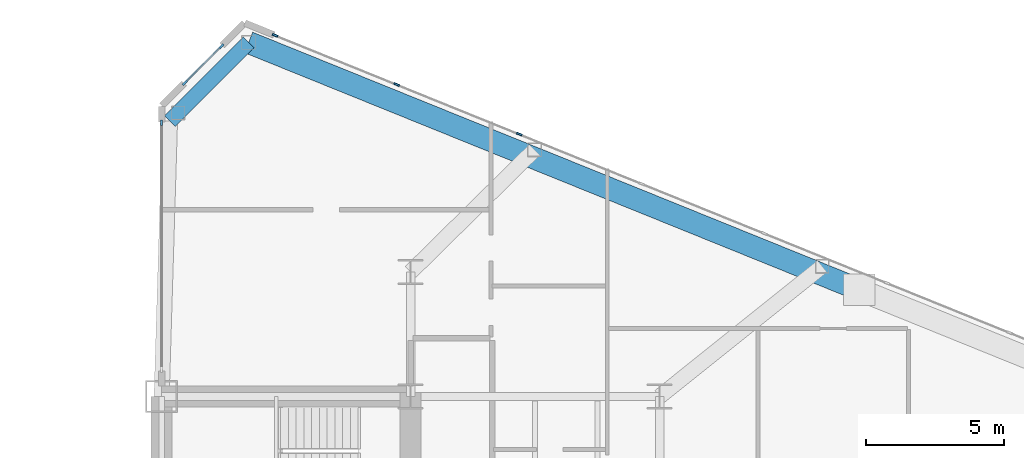
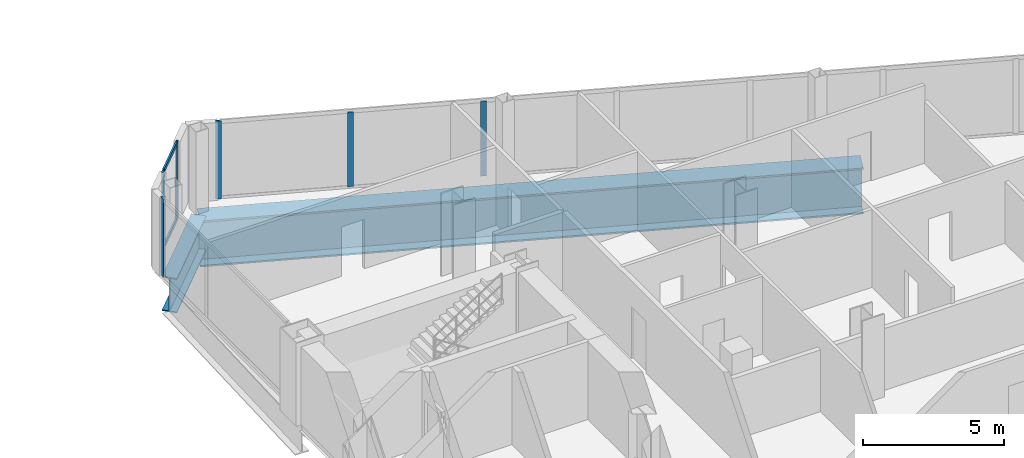
# One storey, part 14 of 26: 8 members, 2 beams, 3 elements without a shape of their own.
"""IFC4 building model written with IfcOpenShell, lengths in metres."""

import ifcopenshell
import ifcopenshell.guid

model = None  # the IFC model being written
_history = None  # IfcOwnerHistory: only IFC2X3 demands one
_inside = {}  # id of a spatial element -> (the spatial element, [elements in it])
_under = {}  # id of a project, library or spatial element -> (it, [spatial elements below it])
_declared = {}  # id of a project -> (the project, [libraries it declares])
_typed = {}  # id of a type object -> (the type object, [elements of that type])
_made_of = {}  # id of a material, layer set ... -> (it, [elements and type objects made of it])


def new_model(schema):
    """Start an empty IFC model of exactly this schema.

    Asked for "IFC4X3", IfcOpenShell would pick the latest addendum, in which some entities
    have other attributes; the version numbers below select the first issue.
    IFC2X3 requires an IfcOwnerHistory on every rooted entity: one is made here for all.
    """
    global model, _history
    if schema == "IFC4X3":
        model = ifcopenshell.file(schema_version=(4, 3, 0, 0))
    else:
        model = ifcopenshell.file(schema=schema)
    _inside.clear()
    _under.clear()
    _declared.clear()
    _typed.clear()
    _made_of.clear()
    _history = None
    if model.schema == "IFC2X3":
        org = make("IfcOrganization", Name="unknown")
        user = make(
            "IfcPersonAndOrganization",
            ThePerson=make("IfcPerson", FamilyName="unknown"),
            TheOrganization=org,
        )
        app = make(
            "IfcApplication",
            ApplicationDeveloper=org,
            Version="unknown",
            ApplicationFullName="unknown",
            ApplicationIdentifier="unknown",
        )
        _history = make(
            "IfcOwnerHistory",
            OwningUser=user,
            OwningApplication=app,
            ChangeAction="ADDED",
            CreationDate=0,
        )
    return model


def make(cls, **values):
    """One entity of the class cls with the attributes given. An attribute that is None is left unset."""
    return model.create_entity(
        cls, **{name: value for name, value in values.items() if value is not None}
    )


def rooted(cls, **values):
    """An entity with a GlobalId (a new one), such as an element, a storey or a relation."""
    return make(cls, GlobalId=ifcopenshell.guid.new(), OwnerHistory=_history, **values)


def si_unit(unit_type, name, prefix=None):
    """IfcSIUnit, for example si_unit("LENGTHUNIT", "METRE", prefix="MILLI")."""
    return make("IfcSIUnit", UnitType=unit_type, Prefix=prefix, Name=name)


def assignment(units):
    """IfcUnitAssignment: the units of a project."""
    return None if units is None else make("IfcUnitAssignment", Units=units)


def point(xyz):
    """IfcCartesianPoint."""
    return None if xyz is None else make("IfcCartesianPoint", Coordinates=xyz)


def direction(xyz):
    """IfcDirection."""
    return None if xyz is None else make("IfcDirection", DirectionRatios=xyz)


def frame(location, z_axis=None, x_axis=None):
    """IfcAxis2Placement3D, a coordinate frame: its origin and axes. An axis left out is left unset."""
    return make(
        "IfcAxis2Placement3D",
        Location=point(location),
        Axis=direction(z_axis),
        RefDirection=direction(x_axis),
    )


def frame_2d(location, x_axis=None):
    """IfcAxis2Placement2D, a coordinate frame in the plane: its origin and x axis."""
    return make(
        "IfcAxis2Placement2D", Location=point(location), RefDirection=direction(x_axis)
    )


def origin():
    """The frame at (0, 0, 0) with its axes left unset."""
    return frame((0.0, 0.0, 0.0))


def origin_2d():
    """The frame at (0, 0) in the plane with its x axis left unset."""
    return frame_2d((0.0, 0.0))


def place(relative_to, where):
    """IfcLocalPlacement: puts the frame where relative to a parent placement (None: the world)."""
    return make(
        "IfcLocalPlacement", PlacementRelTo=relative_to, RelativePlacement=where
    )


def context(
    kind, dimensions, precision=None, world=None, true_north=None, identifier=None
):
    """IfcGeometricRepresentationContext, for example the 3D "Model" context."""
    return make(
        "IfcGeometricRepresentationContext",
        ContextIdentifier=identifier,
        ContextType=kind,
        CoordinateSpaceDimension=dimensions,
        Precision=precision,
        WorldCoordinateSystem=world,
        TrueNorth=true_north,
    )


def subcontext(parent, identifier, kind, view, scale=None):
    """IfcGeometricRepresentationSubContext, for example "Body" below "Model"."""
    return make(
        "IfcGeometricRepresentationSubContext",
        ContextIdentifier=identifier,
        ContextType=kind,
        ParentContext=parent,
        TargetScale=scale,
        TargetView=view,
    )


def project(units=None, contexts=None):
    """IfcProject with its units and contexts."""
    return rooted(
        "IfcProject",
        Name="project",
        RepresentationContexts=contexts,
        UnitsInContext=assignment(units),
    )


def spatial(cls, under=None, at=None, **own):
    """A site, building, storey or space (cls), placed at a placement, below another one or the project."""
    s = rooted(cls, ObjectPlacement=at, **own)
    if under is not None:
        _under.setdefault(under.id(), (under, []))[1].append(s)
    return s


def profile(cls, at=None, kind="AREA", **sizes):
    """A parametric profile (cls). Its sizes go by their IFC names, for example OverallWidth=200.0."""
    return make(cls, ProfileType=kind, Position=at, **sizes)


def rectangle(**sizes):
    """IfcRectangleProfileDef."""
    return profile("IfcRectangleProfileDef", **sizes)


def i_section(**sizes):
    """IfcIShapeProfileDef."""
    return profile("IfcIShapeProfileDef", **sizes)


def extrude(swept, where, along, depth):
    """IfcExtrudedAreaSolid: the profile swept, set in the frame where, extruded along a direction by depth."""
    return make(
        "IfcExtrudedAreaSolid",
        SweptArea=swept,
        Position=where,
        ExtrudedDirection=direction(along),
        Depth=depth,
    )


def shape(context_of_items, identifier, shape_type, items):
    """IfcShapeRepresentation: the items that make up one representation, for example the "Body"."""
    return make(
        "IfcShapeRepresentation",
        ContextOfItems=context_of_items,
        RepresentationIdentifier=identifier,
        RepresentationType=shape_type,
        Items=items,
    )


def source(mapping_origin, context_of_items, identifier, shape_type, items):
    """IfcRepresentationMap: a shape defined once, which mapped items show again and again."""
    return make(
        "IfcRepresentationMap",
        MappingOrigin=mapping_origin,
        MappedRepresentation=shape(context_of_items, identifier, shape_type, items),
    )


def transform(
    local_origin,
    x_axis=None,
    y_axis=None,
    z_axis=None,
    scale=None,
    scale2=None,
    scale3=None,
    uniform=True,
):
    """IfcCartesianTransformationOperator3D, or its non-uniform kind. x_axis, y_axis, z_axis: its Axis1, 2, 3."""
    if uniform:
        return make(
            "IfcCartesianTransformationOperator3D",
            Axis1=direction(x_axis),
            Axis2=direction(y_axis),
            LocalOrigin=point(local_origin),
            Scale=scale,
            Axis3=direction(z_axis),
        )
    return make(
        "IfcCartesianTransformationOperator3DnonUniform",
        Axis1=direction(x_axis),
        Axis2=direction(y_axis),
        LocalOrigin=point(local_origin),
        Scale=scale,
        Axis3=direction(z_axis),
        Scale2=scale2,
        Scale3=scale3,
    )


def mapped(mapping_source, mapping_target):
    """IfcMappedItem: shows the shape of a source again, moved by a transform."""
    return make(
        "IfcMappedItem", MappingSource=mapping_source, MappingTarget=mapping_target
    )


def material(Name=None, Category=None):
    """IfcMaterial."""
    return make("IfcMaterial", Name=Name, Category=Category)


def layer(
    of_material, thickness, ventilated=None, Name=None, Category=None, Priority=None
):
    """IfcMaterialLayer: one layer of a wall or slab, of a material (None: an air gap)."""
    return make(
        "IfcMaterialLayer",
        Material=of_material,
        LayerThickness=thickness,
        IsVentilated=ventilated,
        Name=Name,
        Category=Category,
        Priority=Priority,
    )


def layer_set(layers, Name=None):
    """IfcMaterialLayerSet."""
    return make("IfcMaterialLayerSet", MaterialLayers=layers, LayerSetName=Name)


def material_profile(
    of_material, cross_section, Name=None, Category=None, Priority=None
):
    """IfcMaterialProfile: a cross section and its material."""
    return make(
        "IfcMaterialProfile",
        Name=Name,
        Material=of_material,
        Profile=cross_section,
        Priority=Priority,
        Category=Category,
    )


def profile_set(profiles, Name=None, composite=None):
    """IfcMaterialProfileSet."""
    return make(
        "IfcMaterialProfileSet",
        Name=Name,
        MaterialProfiles=profiles,
        CompositeProfile=composite,
    )


def made_of(thing, what):
    """Note that an element or type object is made of a material, layer set ...; save() writes the relation."""
    if what is not None:
        _made_of.setdefault(what.id(), (what, []))[1].append(thing)
    return thing


def type_object(cls, material=None, **own):
    """A type object (cls), such as IfcWallType, which elements share."""
    return made_of(rooted(cls, **own), material)


def type_shapes(of_type, sources):
    """Give a type object the sources (RepresentationMaps) that its elements show as mapped items."""
    of_type.RepresentationMaps = sources


def element(
    cls,
    number,
    at=None,
    inside=None,
    cuts=None,
    type_object=None,
    material=None,
    context=None,
    identifier="Body",
    shape_type=None,
    held_by="IfcProductDefinitionShape",
    body=None,
    shapes=None,
    **own,
):
    """One element of the class cls, such as IfcWall. Its Tag is "e" and its number.

    at: its placement. inside: the storey or other place that contains it. cuts: it is an
    opening in that element (IfcRelVoidsElement). A single representation is given by context,
    identifier, shape_type and body (its items); several are given by shapes. held_by: the class
    of the entity that holds the representations. save() writes the other relations.
    """
    e = rooted(cls, Tag="e%d" % number, ObjectPlacement=at, **own)
    if body is not None:
        shapes = [shape(context, identifier, shape_type, body)]
    if shapes is not None:
        e.Representation = make(held_by, Representations=shapes)
    if inside is not None:
        _inside.setdefault(inside.id(), (inside, []))[1].append(e)
    if cuts is not None:
        rooted(
            "IfcRelVoidsElement", RelatingBuildingElement=cuts, RelatedOpeningElement=e
        )
    if type_object is not None:
        _typed.setdefault(type_object.id(), (type_object, []))[1].append(e)
    return made_of(e, material)


def aggregate(whole, parts):
    """IfcRelAggregates: a whole, such as a stair, and the parts it consists of."""
    return rooted("IfcRelAggregates", RelatingObject=whole, RelatedObjects=parts)


def save(model, path):
    """Write the relations noted so far, then the file.

    IfcRelAggregates (storeys below a building ...), IfcRelContainedInSpatialStructure (elements
    in a storey), IfcRelDefinesByType, IfcRelAssociatesMaterial and IfcRelDeclares: one each for
    every whole, place, type object, material and project.
    """
    for whole, parts in _under.values():
        aggregate(whole, parts)
    for where, things in _inside.values():
        rooted(
            "IfcRelContainedInSpatialStructure",
            RelatedElements=things,
            RelatingStructure=where,
        )
    for kind, things in _typed.values():
        rooted("IfcRelDefinesByType", RelatedObjects=things, RelatingType=kind)
    for what, things in _made_of.values():
        rooted("IfcRelAssociatesMaterial", RelatedObjects=things, RelatingMaterial=what)
    for by, libraries in _declared.values():
        rooted("IfcRelDeclares", RelatingContext=by, RelatedDefinitions=libraries)
    model.write(path)


model = new_model("IFC4")

# Units and contexts
model_context = context("Model", 3, precision=1e-05, world=origin(), true_north=direction((0.0, 1.0)))
body_context = subcontext(model_context, "Body", "Model", "MODEL_VIEW")
ifc_project = project(units=[si_unit("LENGTHUNIT", "METRE"), si_unit("AREAUNIT", "SQUARE_METRE"), si_unit("VOLUMEUNIT", "CUBIC_METRE"), si_unit("PLANEANGLEUNIT", "RADIAN"), si_unit("MASSUNIT", "GRAM", prefix="KILO")], contexts=[model_context])

# Site, building, storey
site_placement = place(None, origin())
site = spatial("IfcSite", under=ifc_project, at=site_placement, CompositionType="ELEMENT")
building_placement = place(site_placement, origin())
building = spatial("IfcBuilding", under=site, at=building_placement, Name="Seokmaru Belvedere", CompositionType="ELEMENT")
storey_placement = place(building_placement, frame((0.0, 0.0, 18.89990234375)))
storey = spatial("IfcBuildingStorey", under=building, at=storey_placement, Name="L04", CompositionType="ELEMENT", Elevation=18.89990234375)

# Beams
ifc_material_1 = material(Name="Steel HSA650 (650 MPa)", Category="steel")
ifc_material_profile_1 = material_profile(ifc_material_1, i_section(OverallWidth=0.800048828125, OverallDepth=2.0, WebThickness=0.0400390625, FlangeThickness=0.070068359375, at=origin_2d()), Name="BH-2000x800x40x70")
ifc_profile_set_1 = profile_set([ifc_material_profile_1], Name="Steel HSA650 (650 MPa)")
beam_type_1 = type_object("IfcBeamType", Name="Sky-Gate Transfer Truss Chord Girder BH-2000", PredefinedType="BEAM", material=ifc_profile_set_1)
shared_shape_1 = source(origin(), body_context, "Body", "SweptSolid", [
    extrude(i_section(OverallWidth=0.800048828125, OverallDepth=2.0, WebThickness=0.0400390625, FlangeThickness=0.070068359375, at=origin_2d()), origin(), (0.0, 0.0, 1.0), 23.811767578125),
])
type_shapes(beam_type_1, [shared_shape_1])
beam_1_placement = place(storey_placement, frame((30.643310546875, 26.294677734375, -1.219970703125), z_axis=(0.92694579442, -0.375195274766, 0.0), x_axis=(0.375195274766, 0.92694579442, 0.0)))
element("IfcBeam", 1, at=beam_1_placement, inside=storey, type_object=beam_type_1, Name="L04 E Podium Flank Transfer Girder N-A", PredefinedType="BEAM", context=body_context, shape_type="MappedRepresentation", body=[
    mapped(shared_shape_1, transform((0.0, 0.0, 0.0), scale=1.0)),
])
ifc_material_profile_2 = material_profile(ifc_material_1, i_section(OverallWidth=0.550048828125, OverallDepth=1.5, WebThickness=0.028076171875, FlangeThickness=0.044921875, at=origin_2d()), Name="BH-1500x550x28x45")
ifc_profile_set_2 = profile_set([ifc_material_profile_2], Name="Steel HSA650 (650 MPa)")
beam_type_2 = type_object("IfcBeamType", Name="Setback Transfer Girder BH-1500", PredefinedType="BEAM", material=ifc_profile_set_2)
shared_shape_2 = source(origin(), body_context, "Body", "SweptSolid", [
    extrude(i_section(OverallWidth=0.550048828125, OverallDepth=1.5, WebThickness=0.028076171875, FlangeThickness=0.044921875, at=origin_2d()), origin(), (0.0, 0.0, 1.0), 4.02099609375),
])
type_shapes(beam_type_2, [shared_shape_2])
beam_2_placement = place(storey_placement, frame((30.643310546875, 26.294677734375, -0.969970703125), z_axis=(-0.707106781187, -0.707106781187, 0.0), x_axis=(0.707106781187, -0.707106781187, 0.0)))
element("IfcBeam", 2, at=beam_2_placement, inside=storey, type_object=beam_type_2, Name="L04 E Podium Shoulder Transfer Girder N", PredefinedType="BEAM", context=body_context, shape_type="MappedRepresentation", body=[
    mapped(shared_shape_2, transform((0.0, 0.0, 0.0), scale=1.0)),
])

# Curtain wall, member
ifc_material_2 = material(Name="Bronze Triple Insulating Glass", Category="glass")
ifc_layer = layer(ifc_material_2, 0.2099609375)
ifc_layer_set = layer_set([ifc_layer], Name="Bronze Triple Insulating Glass")
curtain_wall_type = type_object("IfcCurtainWallType", Name="Low-Rise Faceted Crystal Curtain Wall System CW-2", PredefinedType="NOTDEFINED", material=ifc_layer_set)
curtain_wall_1_placement = place(storey_placement, origin())
curtain_wall_1 = element("IfcCurtainWall", 3, at=curtain_wall_1_placement, inside=storey, type_object=curtain_wall_type, Name="L04 Curtain Wall EF3", PredefinedType="NOTDEFINED")
ifc_material_3 = material(Name="Anodised Bronze Aluminium", Category="aluminium")
ifc_material_profile_3 = material_profile(ifc_material_3, rectangle(XDim=0.074951171875, YDim=0.2099609375, at=origin_2d()), Name="CW-M-75x210")
ifc_profile_set_3 = profile_set([ifc_material_profile_3], Name="Anodised Bronze Aluminium")
member_type_1 = type_object("IfcMemberType", Name="Bronze Unitised Mullion 75x210", PredefinedType="MULLION", material=ifc_profile_set_3)
shared_shape_3 = source(origin(), body_context, "Body", "SweptSolid", [
    extrude(rectangle(XDim=0.074951171875, YDim=0.2099609375, at=origin_2d()), origin(), (0.0, 0.0, 1.0), 3.380126953125),
])
member_1_placement = place(storey_placement, frame((31.600830078125, 26.554443359375, 0.0), z_axis=(0.0, 0.0, 1.0), x_axis=(-0.375192321888, -0.926946989637, 0.0)))
member_1 = element("IfcMember", 4, at=member_1_placement, type_object=member_type_1, Name="CW:L04:EF3 Mullion 10", PredefinedType="MULLION", context=body_context, shape_type="MappedRepresentation", body=[
    mapped(shared_shape_3, transform((0.0, 0.0, 0.0), scale=1.0)),
])

# Curtain wall, members
curtain_wall_2_placement = place(storey_placement, origin())
curtain_wall_2 = element("IfcCurtainWall", 5, at=curtain_wall_2_placement, inside=storey, type_object=curtain_wall_type, Name="L04 Curtain Wall EF4", PredefinedType="NOTDEFINED")
member_2_placement = place(storey_placement, frame((29.660400390625, 26.160400390625, 0.0), z_axis=(0.0, 0.0, 1.0), x_axis=(0.707106781187, -0.707106781187, 0.0)))
member_2 = element("IfcMember", 6, at=member_2_placement, type_object=member_type_1, Name="CW:L04:EF4 Mullion 1", PredefinedType="MULLION", context=body_context, shape_type="MappedRepresentation", body=[
    mapped(shared_shape_3, transform((0.0, 0.0, 0.0), scale=1.0)),
])
member_3_placement = place(storey_placement, frame((28.339599609375, 24.839599609375, 0.0), z_axis=(0.0, 0.0, 1.0), x_axis=(0.707106781187, -0.707106781187, 0.0)))
member_3 = element("IfcMember", 7, at=member_3_placement, type_object=member_type_1, Name="CW:L04:EF4 Mullion 2", PredefinedType="MULLION", context=body_context, shape_type="MappedRepresentation", body=[
    mapped(shared_shape_3, transform((0.0, 0.0, 0.0), scale=1.0)),
])

# Curtain wall, member
curtain_wall_3_placement = place(storey_placement, origin())
curtain_wall_3 = element("IfcCurtainWall", 8, at=curtain_wall_3_placement, inside=storey, type_object=curtain_wall_type, Name="L04 Curtain Wall ESP_2", PredefinedType="NOTDEFINED")
member_4_placement = place(storey_placement, frame((27.5, 23.392578125, 0.0), z_axis=(0.0, 0.0, 1.0), x_axis=(1.0, 0.0, 0.0)))
member_4 = element("IfcMember", 9, at=member_4_placement, type_object=member_type_1, Name="CW:L04:ESP_2 Mullion 1", PredefinedType="MULLION", context=body_context, shape_type="MappedRepresentation", body=[
    mapped(shared_shape_3, transform((0.0, 0.0, 0.0), scale=1.0)),
])
aggregate(curtain_wall_3, [member_4])

# Member
ifc_material_profile_4 = material_profile(ifc_material_3, rectangle(XDim=0.070068359375, YDim=0.1650390625, at=origin_2d()), Name="CW-T-70x165")
ifc_profile_set_4 = profile_set([ifc_material_profile_4], Name="Anodised Bronze Aluminium")
member_type_2 = type_object("IfcMemberType", Name="Bronze Unitised Transom 70x165", PredefinedType="USERDEFINED", material=ifc_profile_set_4)
shared_shape_4 = source(origin(), body_context, "Body", "SweptSolid", [
    extrude(rectangle(XDim=0.070068359375, YDim=0.1650390625, at=origin_2d()), origin(), (0.0, 0.0, 1.0), 1.792724609375),
])
type_shapes(member_type_2, [shared_shape_4])
member_5_placement = place(storey_placement, frame((29.6337890625, 26.1337890625, 0.03515625), z_axis=(-0.707106781187, -0.707106781187, 0.0), x_axis=(0.707106781187, -0.707106781187, 0.0)))
member_5 = element("IfcMember", 10, at=member_5_placement, type_object=member_type_2, Name="CW:L04:EF4 Continuous Transom 1", ObjectType="TRANSOM", PredefinedType="USERDEFINED", context=body_context, shape_type="MappedRepresentation", body=[
    mapped(shared_shape_4, transform((0.0, 0.0, 0.0), scale=1.0)),
])

member_6_placement = place(storey_placement, frame((29.6337890625, 26.1337890625, 3.34521484375), z_axis=(-0.707106781187, -0.707106781187, 0.0), x_axis=(0.707106781187, -0.707106781187, 0.0)))
member_6 = element("IfcMember", 11, at=member_6_placement, type_object=member_type_2, Name="CW:L04:EF4 Continuous Transom 2", ObjectType="TRANSOM", PredefinedType="USERDEFINED", context=body_context, shape_type="MappedRepresentation", body=[
    mapped(shared_shape_4, transform((0.0, 0.0, 0.0), scale=1.0)),
])

aggregate(curtain_wall_2, [member_2, member_3, member_5, member_6])

shared_shape_5 = source(origin(), body_context, "Body", "SweptSolid", [
    extrude(rectangle(XDim=0.074951171875, YDim=0.2099609375, at=origin_2d()), origin(), (0.0, 0.0, 1.0), 3.239990234375),
])
type_shapes(member_type_1, [shared_shape_3, shared_shape_5])
member_7_placement = place(storey_placement, frame((40.425537109375, 22.982421875, 0.070068359375), z_axis=(0.0, 0.0, 1.0), x_axis=(-0.375192321888, -0.926946989637, 0.0)))
member_7 = element("IfcMember", 12, at=member_7_placement, type_object=member_type_1, Name="CW:L04:EF3 Mullion 8", PredefinedType="MULLION", context=body_context, shape_type="MappedRepresentation", body=[
    mapped(shared_shape_5, transform((0.0, 0.0, 0.0), scale=1.0)),
])

member_8_placement = place(storey_placement, frame((35.995849609375, 24.775390625, 0.070068359375), z_axis=(0.0, 0.0, 1.0), x_axis=(-0.375192321888, -0.926946989637, 0.0)))
member_8 = element("IfcMember", 13, at=member_8_placement, type_object=member_type_1, Name="CW:L04:EF3 Mullion 9", PredefinedType="MULLION", context=body_context, shape_type="MappedRepresentation", body=[
    mapped(shared_shape_5, transform((0.0, 0.0, 0.0), scale=1.0)),
])

aggregate(curtain_wall_1, [member_7, member_8, member_1])

save(model, "model.ifc")
